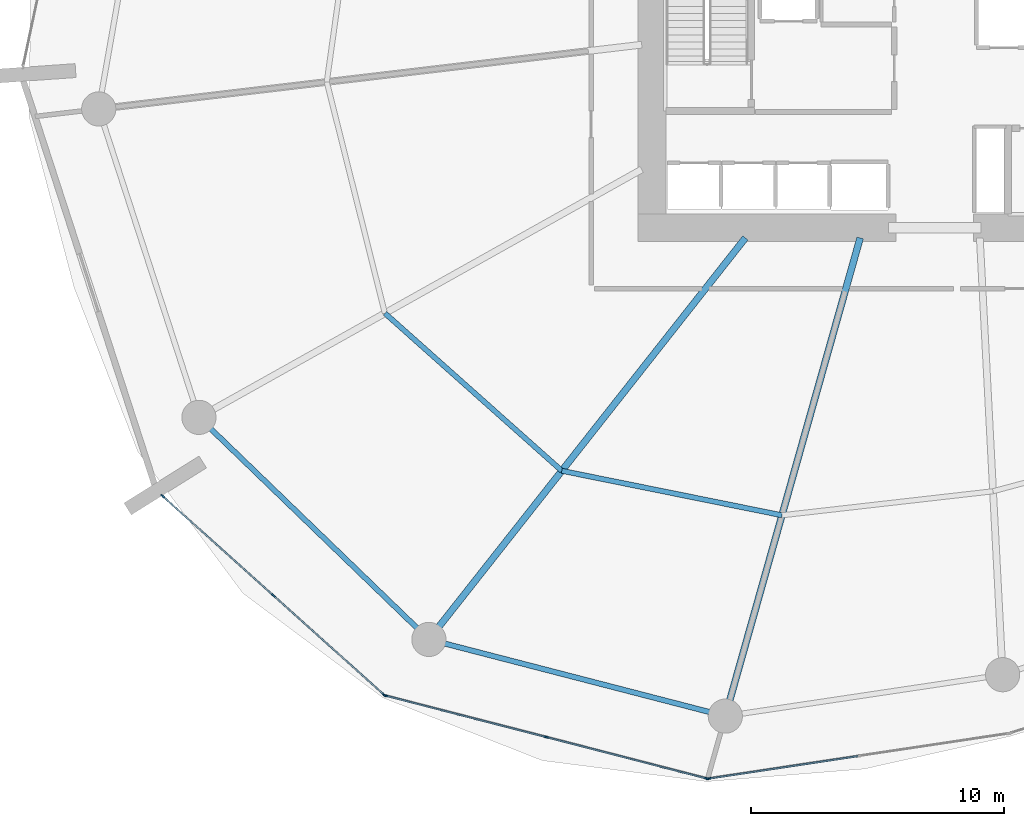
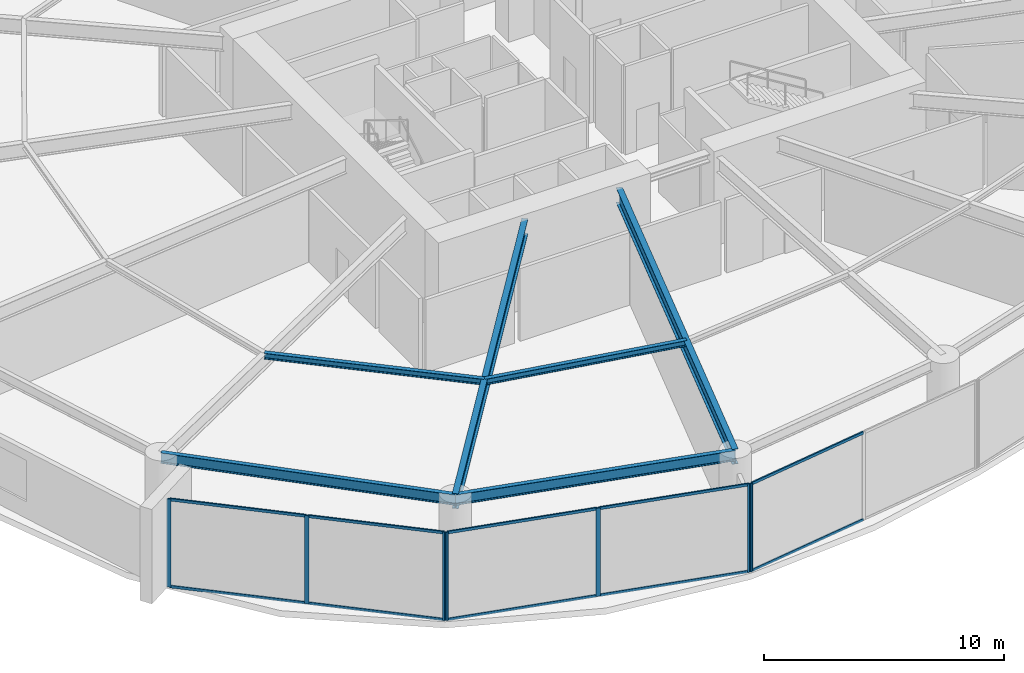
# One storey, part 7 of 22: 17 members, 6 beams, 3 elements without a shape of their own.
"""IFC4 building model written with IfcOpenShell, lengths in metres."""

from ifc_helpers import new_model, si_unit, direction, frame, origin, origin_2d, place, context, subcontext, project, spatial, rectangle, i_section, extrude, material, layer, layer_set, material_profile, profile_set, type_object, element, aggregate, save


model = new_model("IFC4")

# Units and contexts
model_context = context("Model", 3, precision=1e-05, world=origin(), true_north=direction((0.0, 1.0)))
body_context = subcontext(model_context, "Body", "Model", "MODEL_VIEW")
ifc_project = project(units=[si_unit("LENGTHUNIT", "METRE"), si_unit("AREAUNIT", "SQUARE_METRE"), si_unit("VOLUMEUNIT", "CUBIC_METRE"), si_unit("PLANEANGLEUNIT", "RADIAN"), si_unit("MASSUNIT", "GRAM", prefix="KILO")], contexts=[model_context])

# Site, building, storey
site_placement = place(None, origin())
site = spatial("IfcSite", under=ifc_project, at=site_placement, CompositionType="ELEMENT")
building_placement = place(site_placement, origin())
building = spatial("IfcBuilding", under=site, at=building_placement, Name="Kazma Halo Residences", CompositionType="ELEMENT")
storey_placement = place(building_placement, frame((0.0, 0.0, 12.0)))
storey = spatial("IfcBuildingStorey", under=building, at=storey_placement, Name="L02", CompositionType="ELEMENT", Elevation=12.0)

# Beams
ifc_material_1 = material(Name="Steel S355", Category="steel")
ifc_material_profile_1 = material_profile(ifc_material_1, i_section(OverallWidth=0.26708984375, OverallDepth=0.761962890625, WebThickness=0.014404296875, FlangeThickness=0.021484375, FilletRadius=0.02001953125, at=origin_2d()), Name="W760x173")
ifc_profile_set_1 = profile_set([ifc_material_profile_1], Name="Steel S355")
beam_type_1 = type_object("IfcBeamType", Name="BM-POD-W760", PredefinedType="BEAM", material=ifc_profile_set_1)
beam_1_placement = place(storey_placement, frame((40.9443359375, 33.050048828125, 4.09912109375), z_axis=(-0.619089277374, -0.785320613915, 0.0), x_axis=(0.785320613915, -0.619089277374, 0.0)))
element("IfcBeam", 1, at=beam_1_placement, inside=storey, type_object=beam_type_1, Name="L02 radial floor beam 10", PredefinedType="BEAM", context=body_context, shape_type="SweptSolid", body=[
    extrude(i_section(OverallWidth=0.26708984375, OverallDepth=0.761962890625, WebThickness=0.014404296875, FlangeThickness=0.021484375, FilletRadius=0.02001953125, at=origin_2d()), origin(), (0.0, 0.0, 1.0), 20.18701171875),
])
beam_2_placement = place(storey_placement, frame((45.475830078125, 33.050048828125, 4.09912109375), z_axis=(-0.271433858007, -0.962457095526, 0.0), x_axis=(0.962457095526, -0.271433858007, 0.0)))
element("IfcBeam", 2, at=beam_2_placement, inside=storey, type_object=beam_type_1, Name="L02 radial floor beam 11", PredefinedType="BEAM", context=body_context, shape_type="SweptSolid", body=[
    extrude(i_section(OverallWidth=0.26708984375, OverallDepth=0.761962890625, WebThickness=0.014404296875, FlangeThickness=0.021484375, FilletRadius=0.02001953125, at=origin_2d()), origin(), (0.0, 0.0, 1.0), 19.617919921875),
])
ifc_material_profile_2 = material_profile(ifc_material_1, i_section(OverallWidth=0.202880859375, OverallDepth=0.302978515625, WebThickness=0.007568359375, FlangeThickness=0.01318359375, FilletRadius=0.013916015625, at=origin_2d()), Name="W310x60")
ifc_profile_set_2 = profile_set([ifc_material_profile_2], Name="Steel S355")
beam_type_2 = type_object("IfcBeamType", Name="BM-SEC-W310A", PredefinedType="JOIST", material=ifc_profile_set_2)
beam_3_placement = place(storey_placement, frame((26.7099609375, 30.076904296875, 4.32861328125), z_axis=(0.74675669848, -0.665097311133, 0.0), x_axis=(0.665097311133, 0.74675669848, 0.0)))
element("IfcBeam", 3, at=beam_3_placement, inside=storey, type_object=beam_type_2, Name="L02 circumferential floor joist 09", PredefinedType="JOIST", context=body_context, shape_type="SweptSolid", body=[
    extrude(i_section(OverallWidth=0.202880859375, OverallDepth=0.302978515625, WebThickness=0.007568359375, FlangeThickness=0.01318359375, FilletRadius=0.013916015625, at=origin_2d()), origin(), (0.0, 0.0, 1.0), 9.35498046875),
])
beam_4_placement = place(storey_placement, frame((33.69580078125, 23.85498046875, 4.32861328125), z_axis=(0.980192243317, -0.198048393432, 0.0), x_axis=(0.198048393432, 0.980192243317, 0.0)))
element("IfcBeam", 4, at=beam_4_placement, inside=storey, type_object=beam_type_2, Name="L02 circumferential floor joist 10", PredefinedType="JOIST", context=body_context, shape_type="SweptSolid", body=[
    extrude(i_section(OverallWidth=0.202880859375, OverallDepth=0.302978515625, WebThickness=0.007568359375, FlangeThickness=0.01318359375, FilletRadius=0.013916015625, at=origin_2d()), origin(), (0.0, 0.0, 1.0), 8.866943359375),
])
ifc_material_profile_3 = material_profile(ifc_material_1, i_section(OverallWidth=0.208984375, OverallDepth=0.532958984375, WebThickness=0.01025390625, FlangeThickness=0.015625, FilletRadius=0.01611328125, at=origin_2d()), Name="W530x92")
ifc_profile_set_3 = profile_set([ifc_material_profile_3], Name="Steel S355")
beam_type_3 = type_object("IfcBeamType", Name="BM-SPN-W530", PredefinedType="BEAM", material=ifc_profile_set_3)
beam_5_placement = place(storey_placement, frame((19.3671875, 25.96484375, 4.21337890625), z_axis=(0.719339467226, -0.694658715407, 0.0), x_axis=(0.694658715407, 0.719339467226, 0.0)))
element("IfcBeam", 5, at=beam_5_placement, inside=storey, type_object=beam_type_3, Name="L02 perimeter ring beam 09", PredefinedType="BEAM", context=body_context, shape_type="SweptSolid", body=[
    extrude(i_section(OverallWidth=0.208984375, OverallDepth=0.532958984375, WebThickness=0.01025390625, FlangeThickness=0.015625, FilletRadius=0.01611328125, at=origin_2d()), origin(), (0.0, 0.0, 1.0), 12.6220703125),
])
beam_6_placement = place(storey_placement, frame((28.44677734375, 17.19677734375, 4.21337890625), z_axis=(0.968123781445, -0.250472241578, 0.0), x_axis=(0.250472241578, 0.968123781445, 0.0)))
element("IfcBeam", 6, at=beam_6_placement, inside=storey, type_object=beam_type_3, Name="L02 perimeter ring beam 10", PredefinedType="BEAM", context=body_context, shape_type="SweptSolid", body=[
    extrude(i_section(OverallWidth=0.208984375, OverallDepth=0.532958984375, WebThickness=0.01025390625, FlangeThickness=0.015625, FilletRadius=0.01611328125, at=origin_2d()), origin(), (0.0, 0.0, 1.0), 12.08935546875),
])

# Curtain wall, members
ifc_material_2 = material(Name="Aluminium AW-6063 T6 and Triple-Silver Low-E Glass", Category="aluminium")
ifc_layer = layer(ifc_material_2, 0.179931640625)
ifc_layer_set = layer_set([ifc_layer], Name="Aluminium AW-6063 T6 and Triple-Silver Low-E Glass")
curtain_wall_type = type_object("IfcCurtainWallType", Name="CW-SYS-1", PredefinedType="NOTDEFINED", material=ifc_layer_set)
curtain_wall_1_placement = place(storey_placement, origin())
curtain_wall_1 = element("IfcCurtainWall", 7, at=curtain_wall_1_placement, inside=storey, type_object=curtain_wall_type, Name="L02 unitised curtain wall B09", PredefinedType="NOTDEFINED")
ifc_material_3 = material(Name="Aluminium AW-6063 T6", Category="aluminium")
ifc_material_profile_4 = material_profile(ifc_material_3, rectangle(XDim=0.06494140625, YDim=0.179931640625, at=origin_2d()), Name="CWM-65x180")
ifc_profile_set_4 = profile_set([ifc_material_profile_4], Name="Aluminium AW-6063 T6")
member_type_1 = type_object("IfcMemberType", Name="CW-SYS-1-MUL", PredefinedType="MULLION", material=ifc_profile_set_4)
member_1_placement = place(storey_placement, frame((17.94140625, 22.85009765625, 0.0), z_axis=(0.0, 0.0, 1.0), x_axis=(0.667847908139, 0.744297770784, 0.0)))
member_1 = element("IfcMember", 8, at=member_1_placement, type_object=member_type_1, Name="CWS-1 mullion 1", PredefinedType="MULLION", context=body_context, shape_type="SweptSolid", body=[
    extrude(rectangle(XDim=0.06494140625, YDim=0.179931640625, at=origin_2d()), origin(), (0.0, 0.0, 1.0), 4.47998046875),
])
member_2_placement = place(storey_placement, frame((22.310791015625, 18.929443359375, 0.0), z_axis=(0.0, 0.0, 1.0), x_axis=(0.667847908139, 0.744297770784, 0.0)))
member_2 = element("IfcMember", 9, at=member_2_placement, type_object=member_type_1, Name="CWS-1 mullion 2", PredefinedType="MULLION", context=body_context, shape_type="SweptSolid", body=[
    extrude(rectangle(XDim=0.06494140625, YDim=0.179931640625, at=origin_2d()), origin(), (0.0, 0.0, 1.0), 4.47998046875),
])
member_3_placement = place(storey_placement, frame((26.680419921875, 15.0087890625, 0.0), z_axis=(0.0, 0.0, 1.0), x_axis=(0.667847908139, 0.744297770784, 0.0)))
member_3 = element("IfcMember", 10, at=member_3_placement, type_object=member_type_1, Name="CWS-1 mullion 3", PredefinedType="MULLION", context=body_context, shape_type="SweptSolid", body=[
    extrude(rectangle(XDim=0.06494140625, YDim=0.179931640625, at=origin_2d()), origin(), (0.0, 0.0, 1.0), 4.47998046875),
])

curtain_wall_2_placement = place(storey_placement, origin())
curtain_wall_2 = element("IfcCurtainWall", 11, at=curtain_wall_2_placement, inside=storey, type_object=curtain_wall_type, Name="L02 unitised curtain wall B10", PredefinedType="NOTDEFINED")
member_4_placement = place(storey_placement, frame((26.736083984375, 14.97900390625, 0.0), z_axis=(0.0, 0.0, 1.0), x_axis=(0.249727103953, 0.96831625699, 0.0)))
member_4 = element("IfcMember", 12, at=member_4_placement, type_object=member_type_1, Name="CWS-1 mullion 1", PredefinedType="MULLION", context=body_context, shape_type="SweptSolid", body=[
    extrude(rectangle(XDim=0.06494140625, YDim=0.179931640625, at=origin_2d()), origin(), (0.0, 0.0, 1.0), 4.47998046875),
])
member_5_placement = place(storey_placement, frame((33.079345703125, 13.343017578125, 0.0), z_axis=(0.0, 0.0, 1.0), x_axis=(0.249727103953, 0.96831625699, 0.0)))
member_5 = element("IfcMember", 13, at=member_5_placement, type_object=member_type_1, Name="CWS-1 mullion 2", PredefinedType="MULLION", context=body_context, shape_type="SweptSolid", body=[
    extrude(rectangle(XDim=0.06494140625, YDim=0.179931640625, at=origin_2d()), origin(), (0.0, 0.0, 1.0), 4.47998046875),
])
member_6_placement = place(storey_placement, frame((39.4228515625, 11.70703125, 0.0), z_axis=(0.0, 0.0, 1.0), x_axis=(0.249727103953, 0.96831625699, 0.0)))
member_6 = element("IfcMember", 14, at=member_6_placement, type_object=member_type_1, Name="CWS-1 mullion 3", PredefinedType="MULLION", context=body_context, shape_type="SweptSolid", body=[
    extrude(rectangle(XDim=0.06494140625, YDim=0.179931640625, at=origin_2d()), origin(), (0.0, 0.0, 1.0), 4.47998046875),
])

# Curtain wall, member
curtain_wall_3_placement = place(storey_placement, origin())
curtain_wall_3 = element("IfcCurtainWall", 15, at=curtain_wall_3_placement, inside=storey, type_object=curtain_wall_type, Name="L02 unitised curtain wall B11", PredefinedType="NOTDEFINED")
member_7_placement = place(storey_placement, frame((39.486328125, 11.70361328125, 0.0), z_axis=(0.0, 0.0, 1.0), x_axis=(-0.148548966342, 0.988905053379, 0.0)))
member_7 = element("IfcMember", 16, at=member_7_placement, type_object=member_type_1, Name="CWS-1 mullion 1", PredefinedType="MULLION", context=body_context, shape_type="SweptSolid", body=[
    extrude(rectangle(XDim=0.06494140625, YDim=0.179931640625, at=origin_2d()), origin(), (0.0, 0.0, 1.0), 4.47998046875),
])

# Member
ifc_material_profile_5 = material_profile(ifc_material_3, rectangle(XDim=0.06494140625, YDim=0.135009765625, at=origin_2d()), Name="CWT-65x135")
ifc_profile_set_5 = profile_set([ifc_material_profile_5], Name="Aluminium AW-6063 T6")
member_type_2 = type_object("IfcMemberType", Name="CW-SYS-1-TRN", PredefinedType="USERDEFINED", material=ifc_profile_set_5)
member_8_placement = place(storey_placement, frame((17.965576171875, 22.828369140625, 0.032470703125), z_axis=(0.744299097196, -0.667846429887, 0.0), x_axis=(0.667846429887, 0.744299097196, 0.0)))
member_8 = element("IfcMember", 17, at=member_8_placement, type_object=member_type_2, Name="CWS-1 transom 1.1", ObjectType="TRANSOM", PredefinedType="USERDEFINED", context=body_context, shape_type="SweptSolid", body=[
    extrude(rectangle(XDim=0.06494140625, YDim=0.135009765625, at=origin_2d()), origin(), (0.0, 0.0, 1.0), 5.805419921875),
])

member_9_placement = place(storey_placement, frame((17.965576171875, 22.828369140625, 4.447509765625), z_axis=(0.744299097196, -0.667846429887, 0.0), x_axis=(0.667846429887, 0.744299097196, 0.0)))
member_9 = element("IfcMember", 18, at=member_9_placement, type_object=member_type_2, Name="CWS-1 transom 1.2", ObjectType="TRANSOM", PredefinedType="USERDEFINED", context=body_context, shape_type="SweptSolid", body=[
    extrude(rectangle(XDim=0.06494140625, YDim=0.135009765625, at=origin_2d()), origin(), (0.0, 0.0, 1.0), 5.805419921875),
])

member_10_placement = place(storey_placement, frame((22.3349609375, 18.90771484375, 0.032470703125), z_axis=(0.744317852823, -0.667825526592, 0.0), x_axis=(0.667825526592, 0.744317852823, 0.0)))
member_10 = element("IfcMember", 19, at=member_10_placement, type_object=member_type_2, Name="CWS-1 transom 2.1", ObjectType="TRANSOM", PredefinedType="USERDEFINED", context=body_context, shape_type="SweptSolid", body=[
    extrude(rectangle(XDim=0.06494140625, YDim=0.135009765625, at=origin_2d()), origin(), (0.0, 0.0, 1.0), 5.8056640625),
])

member_11_placement = place(storey_placement, frame((22.3349609375, 18.90771484375, 4.447509765625), z_axis=(0.744317852823, -0.667825526592, 0.0), x_axis=(0.667825526592, 0.744317852823, 0.0)))
member_11 = element("IfcMember", 20, at=member_11_placement, type_object=member_type_2, Name="CWS-1 transom 2.2", ObjectType="TRANSOM", PredefinedType="USERDEFINED", context=body_context, shape_type="SweptSolid", body=[
    extrude(rectangle(XDim=0.06494140625, YDim=0.135009765625, at=origin_2d()), origin(), (0.0, 0.0, 1.0), 5.8056640625),
])

aggregate(curtain_wall_1, [member_1, member_2, member_3, member_8, member_9, member_10, member_11])

member_12_placement = place(storey_placement, frame((26.767578125, 14.970703125, 0.032470703125), z_axis=(0.968317854782, -0.249720908437, 0.0), x_axis=(0.249720908437, 0.968317854782, 0.0)))
member_12 = element("IfcMember", 21, at=member_12_placement, type_object=member_type_2, Name="CWS-1 transom 1.1", ObjectType="TRANSOM", PredefinedType="USERDEFINED", context=body_context, shape_type="SweptSolid", body=[
    extrude(rectangle(XDim=0.06494140625, YDim=0.135009765625, at=origin_2d()), origin(), (0.0, 0.0, 1.0), 6.48583984375),
])

member_13_placement = place(storey_placement, frame((26.767578125, 14.970703125, 4.447509765625), z_axis=(0.968317854782, -0.249720908437, 0.0), x_axis=(0.249720908437, 0.968317854782, 0.0)))
member_13 = element("IfcMember", 22, at=member_13_placement, type_object=member_type_2, Name="CWS-1 transom 1.2", ObjectType="TRANSOM", PredefinedType="USERDEFINED", context=body_context, shape_type="SweptSolid", body=[
    extrude(rectangle(XDim=0.06494140625, YDim=0.135009765625, at=origin_2d()), origin(), (0.0, 0.0, 1.0), 6.48583984375),
])

member_14_placement = place(storey_placement, frame((33.11083984375, 13.334716796875, 0.032470703125), z_axis=(0.968320202065, -0.249711806433, 0.0), x_axis=(0.249711806433, 0.968320202065, 0.0)))
member_14 = element("IfcMember", 23, at=member_14_placement, type_object=member_type_2, Name="CWS-1 transom 2.1", ObjectType="TRANSOM", PredefinedType="USERDEFINED", context=body_context, shape_type="SweptSolid", body=[
    extrude(rectangle(XDim=0.06494140625, YDim=0.135009765625, at=origin_2d()), origin(), (0.0, 0.0, 1.0), 6.486083984375),
])

member_15_placement = place(storey_placement, frame((33.11083984375, 13.334716796875, 4.447509765625), z_axis=(0.968320202065, -0.249711806433, 0.0), x_axis=(0.249711806433, 0.968320202065, 0.0)))
member_15 = element("IfcMember", 24, at=member_15_placement, type_object=member_type_2, Name="CWS-1 transom 2.2", ObjectType="TRANSOM", PredefinedType="USERDEFINED", context=body_context, shape_type="SweptSolid", body=[
    extrude(rectangle(XDim=0.06494140625, YDim=0.135009765625, at=origin_2d()), origin(), (0.0, 0.0, 1.0), 6.486083984375),
])

aggregate(curtain_wall_2, [member_4, member_5, member_6, member_12, member_13, member_14, member_15])

member_16_placement = place(storey_placement, frame((39.5185546875, 11.70849609375, 0.032470703125), z_axis=(0.988903408536, 0.14855991581, 0.0), x_axis=(-0.14855991581, 0.988903408536, 0.0)))
member_16 = element("IfcMember", 25, at=member_16_placement, type_object=member_type_2, Name="CWS-1 transom 1.1", ObjectType="TRANSOM", PredefinedType="USERDEFINED", context=body_context, shape_type="SweptSolid", body=[
    extrude(rectangle(XDim=0.06494140625, YDim=0.135009765625, at=origin_2d()), origin(), (0.0, 0.0, 1.0), 5.92919921875),
])

member_17_placement = place(storey_placement, frame((39.5185546875, 11.70849609375, 4.447509765625), z_axis=(0.988903408536, 0.14855991581, 0.0), x_axis=(-0.14855991581, 0.988903408536, 0.0)))
member_17 = element("IfcMember", 26, at=member_17_placement, type_object=member_type_2, Name="CWS-1 transom 1.2", ObjectType="TRANSOM", PredefinedType="USERDEFINED", context=body_context, shape_type="SweptSolid", body=[
    extrude(rectangle(XDim=0.06494140625, YDim=0.135009765625, at=origin_2d()), origin(), (0.0, 0.0, 1.0), 5.92919921875),
])

aggregate(curtain_wall_3, [member_7, member_16, member_17])

save(model, "model.ifc")
